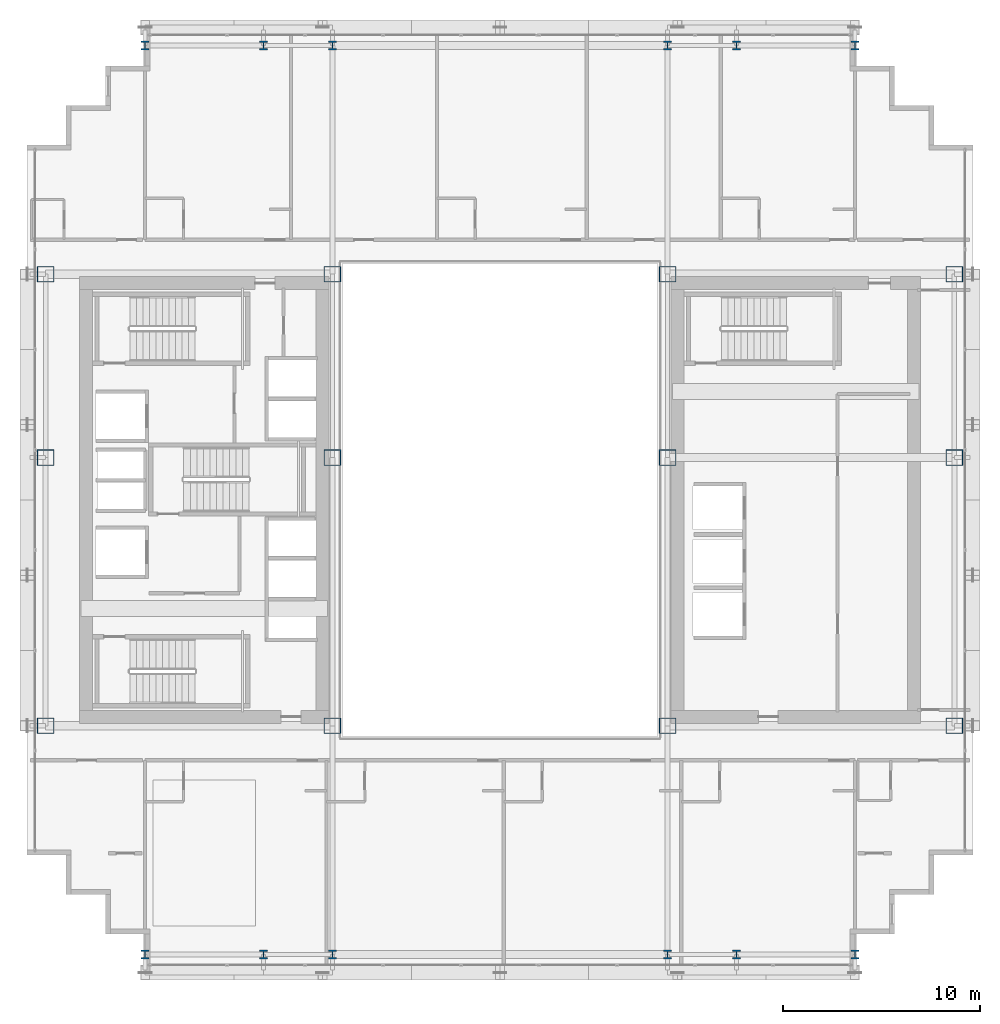
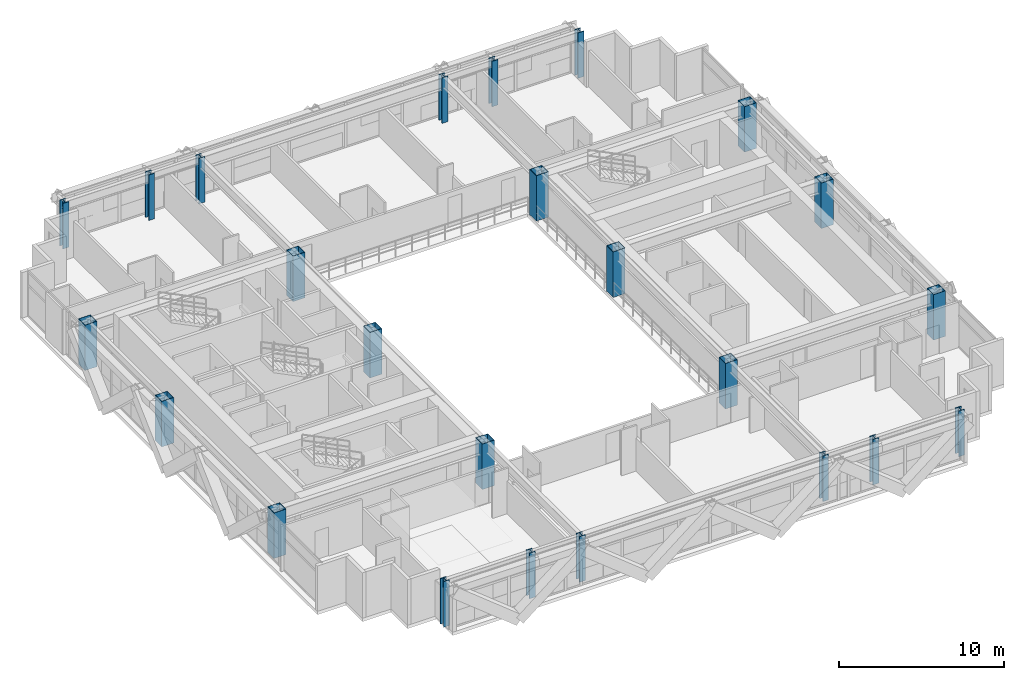
# One storey, part 1 of 34: 24 columns.
"""IFC4 building model written with IfcOpenShell, lengths in metres."""

from ifc_helpers import new_model, si_unit, direction, frame, origin, origin_2d, place, context, subcontext, project, spatial, hollow_rectangle, i_section, extrude, source, transform, mapped, material, material_profile, profile_set, type_object, element, save


model = new_model("IFC4")

# Units and contexts
model_context = context("Model", 3, precision=1e-05, world=origin(), true_north=direction((0.0, 1.0)))
body_context = subcontext(model_context, "Body", "Model", "MODEL_VIEW")
ifc_project = project(units=[si_unit("LENGTHUNIT", "METRE"), si_unit("AREAUNIT", "SQUARE_METRE"), si_unit("VOLUMEUNIT", "CUBIC_METRE"), si_unit("PLANEANGLEUNIT", "RADIAN"), si_unit("MASSUNIT", "GRAM", prefix="KILO")], contexts=[model_context])

# Site, building, storey
site_placement = place(None, origin())
site = spatial("IfcSite", under=ifc_project, at=site_placement, CompositionType="ELEMENT")
building_placement = place(site_placement, origin())
building = spatial("IfcBuilding", under=site, at=building_placement, Name="Ocotamira Hotel", CompositionType="ELEMENT")
storey_placement = place(building_placement, frame((0.0, 0.0, 108.0)))
storey = spatial("IfcBuildingStorey", under=building, at=storey_placement, Name="L26", CompositionType="ELEMENT", Elevation=108.0)

# Columns
ifc_material = material(Name="Steel ASTM A913 Grade 65", Category="steel")
ifc_material_profile_1 = material_profile(ifc_material, hollow_rectangle(XDim=0.85009765625, YDim=0.800048828125, WallThickness=0.031982421875, at=origin_2d()), Name="BOX800X850X32")
ifc_profile_set_1 = profile_set([ifc_material_profile_1], Name="Steel ASTM A913 Grade 65")
column_type_1 = type_object("IfcColumnType", Name="COL-BOX800", PredefinedType="COLUMN", material=ifc_profile_set_1)
shared_shape_1 = source(origin(), body_context, "Body", "SweptSolid", [
    extrude(hollow_rectangle(XDim=0.85009765625, YDim=0.800048828125, WallThickness=0.031982421875, at=origin_2d()), origin(), (0.0, 0.0, 1.0), 3.360107421875),
])
for number, where, z_axis, x_axis, name in (
    (1, (8.949951171875, 14.550048828125, 0.0), (0.0, 0.0, 1.0), (1.0, 0.0, 0.0), "L26 Column TW8_14"),
    (2, (23.5, 14.550048828125, 0.0), (0.0, 0.0, 1.0), (1.0, 0.0, 0.0), "L26 Column TW23_14"),
    (3, (40.5, 14.550048828125, 0.0), (0.0, 0.0, 1.0), (1.0, 0.0, 0.0), "L26 Column TE40_14"),
    (4, (55.050048828125, 14.550048828125, 0.0), (0.0, 0.0, 1.0), (1.0, 0.0, 0.0), "L26 Column TE55_14"),
    (5, (8.949951171875, 28.14990234375, 0.0), (0.0, 0.0, 1.0), (1.0, 0.0, 0.0), "L26 Column TW8_28"),
    (6, (23.5, 28.14990234375, 0.0), (0.0, 0.0, 1.0), (1.0, 0.0, 0.0), "L26 Column TW23_28"),
    (7, (40.5, 28.14990234375, 0.0), (0.0, 0.0, 1.0), (1.0, 0.0, 0.0), "L26 Column TE40_28"),
    (8, (55.050048828125, 28.14990234375, 0.0), (0.0, 0.0, 1.0), (1.0, 0.0, 0.0), "L26 Column TE55_28"),
    (9, (8.949951171875, 37.449951171875, 0.0), (0.0, 0.0, 1.0), (1.0, 0.0, 0.0), "L26 Column TW8_37"),
    (10, (23.5, 37.449951171875, 0.0), (0.0, 0.0, 1.0), (1.0, 0.0, 0.0), "L26 Column TW23_37"),
    (11, (40.5, 37.449951171875, 0.0), (0.0, 0.0, 1.0), (1.0, 0.0, 0.0), "L26 Column TE40_37"),
    (12, (55.050048828125, 37.449951171875, 0.0), (0.0, 0.0, 1.0), (1.0, 0.0, 0.0), "L26 Column TE55_37"),
):
    element("IfcColumn", number, at=place(storey_placement, frame(where, z_axis=z_axis, x_axis=x_axis)), inside=storey, type_object=column_type_1, Name=name, PredefinedType="COLUMN", context=body_context, shape_type="MappedRepresentation", body=[
        mapped(shared_shape_1, transform((0.0, 0.0, 0.0), scale=1.0)),
    ])
ifc_material_profile_2 = material_profile(ifc_material, i_section(OverallWidth=0.412109375, OverallDepth=0.43505859375, WebThickness=0.035888671875, FlangeThickness=0.057373046875, FilletRadius=0.02490234375, at=origin_2d()), Name="W14X311")
ifc_profile_set_2 = profile_set([ifc_material_profile_2], Name="Steel ASTM A913 Grade 65")
column_type_2 = type_object("IfcColumnType", Name="COL-W14X311", PredefinedType="COLUMN", material=ifc_profile_set_2)
shared_shape_2 = source(origin(), body_context, "Body", "SweptSolid", [
    extrude(i_section(OverallWidth=0.412109375, OverallDepth=0.43505859375, WebThickness=0.035888671875, FlangeThickness=0.057373046875, FilletRadius=0.02490234375, at=origin_2d()), origin(), (0.0, 0.0, 1.0), 3.360107421875),
])
for number, where, z_axis, x_axis, name in (
    (13, (14.0, 2.949951171875, 0.0), (0.0, 0.0, 1.0), (1.0, 0.0, 0.0), "L26 Column NSP1_14"),
    (14, (20.0, 2.949951171875, 0.0), (0.0, 0.0, 1.0), (1.0, 0.0, 0.0), "L26 Column NSP1_20"),
    (15, (23.5, 2.949951171875, 0.0), (0.0, 0.0, 1.0), (1.0, 0.0, 0.0), "L26 Column NSP1_23"),
    (16, (40.5, 2.949951171875, 0.0), (0.0, 0.0, 1.0), (1.0, 0.0, 0.0), "L26 Column NSP1_40"),
    (17, (44.0, 2.949951171875, 0.0), (0.0, 0.0, 1.0), (1.0, 0.0, 0.0), "L26 Column NSP1_44"),
    (18, (50.0, 2.949951171875, 0.0), (0.0, 0.0, 1.0), (1.0, 0.0, 0.0), "L26 Column NSP1_50"),
    (19, (14.0, 49.050048828125, 0.0), (0.0, 0.0, 1.0), (1.0, 0.0, 0.0), "L26 Column NSP2_14"),
    (20, (20.0, 49.050048828125, 0.0), (0.0, 0.0, 1.0), (1.0, 0.0, 0.0), "L26 Column NSP2_20"),
    (21, (23.5, 49.050048828125, 0.0), (0.0, 0.0, 1.0), (1.0, 0.0, 0.0), "L26 Column NSP2_23"),
    (22, (40.5, 49.050048828125, 0.0), (0.0, 0.0, 1.0), (1.0, 0.0, 0.0), "L26 Column NSP2_40"),
    (23, (44.0, 49.050048828125, 0.0), (0.0, 0.0, 1.0), (1.0, 0.0, 0.0), "L26 Column NSP2_44"),
    (24, (50.0, 49.050048828125, 0.0), (0.0, 0.0, 1.0), (1.0, 0.0, 0.0), "L26 Column NSP2_50"),
):
    element("IfcColumn", number, at=place(storey_placement, frame(where, z_axis=z_axis, x_axis=x_axis)), inside=storey, type_object=column_type_2, Name=name, PredefinedType="COLUMN", context=body_context, shape_type="MappedRepresentation", body=[
        mapped(shared_shape_2, transform((0.0, 0.0, 0.0), scale=1.0)),
    ])

save(model, "model.ifc")
